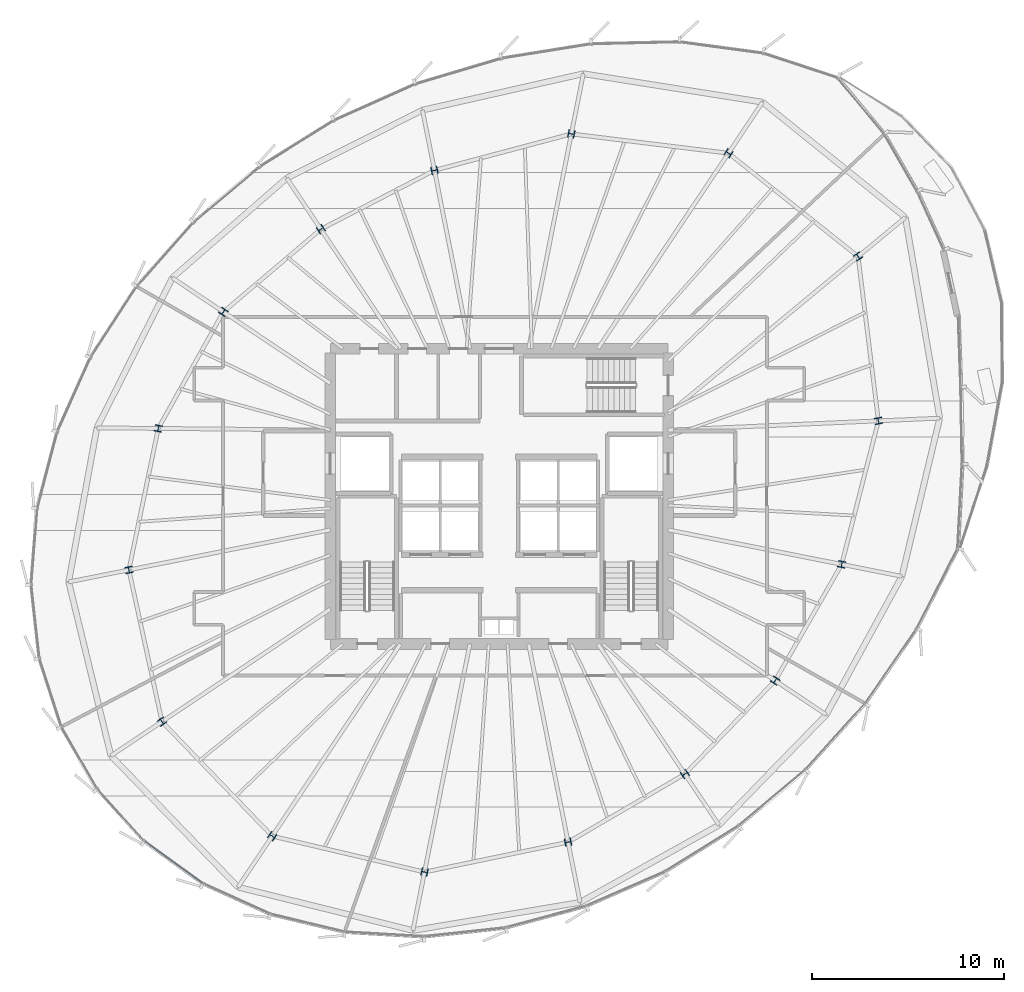
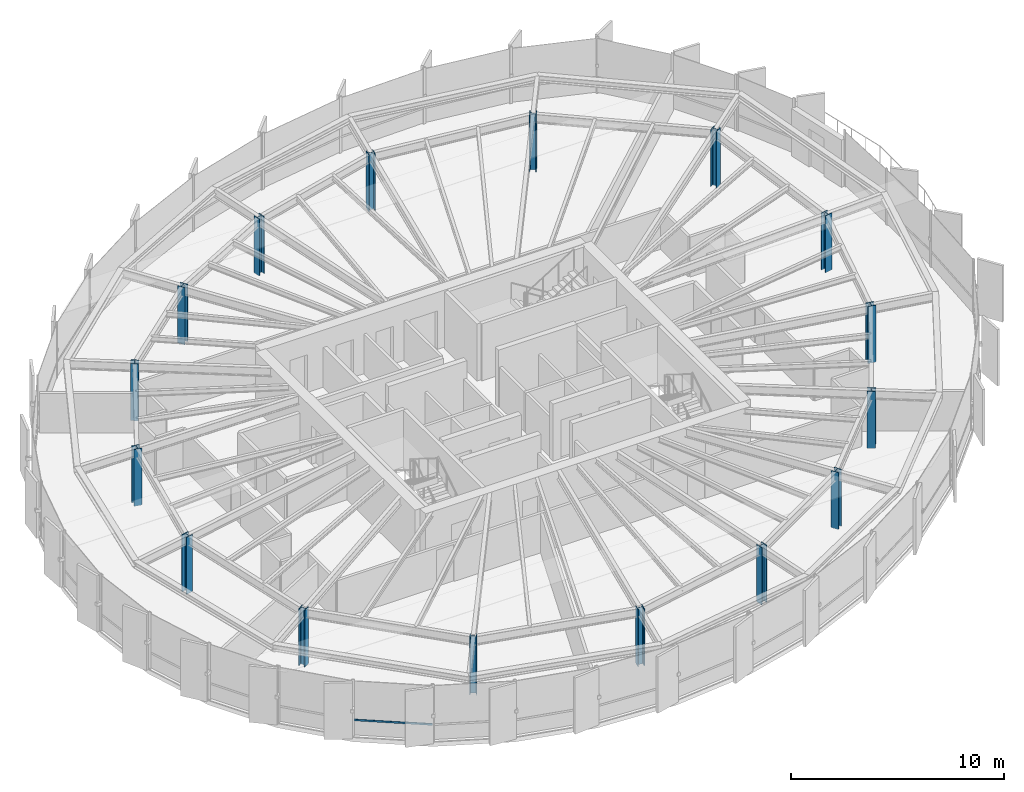
# One storey, part 1 of 35: 16 columns, 1 member, 1 element without a shape of its own.
"""IFC4 building model written with IfcOpenShell, lengths in metres."""

import ifcopenshell
import ifcopenshell.guid

model = None  # the IFC model being written
_history = None  # IfcOwnerHistory: only IFC2X3 demands one
_inside = {}  # id of a spatial element -> (the spatial element, [elements in it])
_under = {}  # id of a project, library or spatial element -> (it, [spatial elements below it])
_declared = {}  # id of a project -> (the project, [libraries it declares])
_typed = {}  # id of a type object -> (the type object, [elements of that type])
_made_of = {}  # id of a material, layer set ... -> (it, [elements and type objects made of it])


def new_model(schema):
    """Start an empty IFC model of exactly this schema.

    Asked for "IFC4X3", IfcOpenShell would pick the latest addendum, in which some entities
    have other attributes; the version numbers below select the first issue.
    IFC2X3 requires an IfcOwnerHistory on every rooted entity: one is made here for all.
    """
    global model, _history
    if schema == "IFC4X3":
        model = ifcopenshell.file(schema_version=(4, 3, 0, 0))
    else:
        model = ifcopenshell.file(schema=schema)
    _inside.clear()
    _under.clear()
    _declared.clear()
    _typed.clear()
    _made_of.clear()
    _history = None
    if model.schema == "IFC2X3":
        org = make("IfcOrganization", Name="unknown")
        user = make(
            "IfcPersonAndOrganization",
            ThePerson=make("IfcPerson", FamilyName="unknown"),
            TheOrganization=org,
        )
        app = make(
            "IfcApplication",
            ApplicationDeveloper=org,
            Version="unknown",
            ApplicationFullName="unknown",
            ApplicationIdentifier="unknown",
        )
        _history = make(
            "IfcOwnerHistory",
            OwningUser=user,
            OwningApplication=app,
            ChangeAction="ADDED",
            CreationDate=0,
        )
    return model


def make(cls, **values):
    """One entity of the class cls with the attributes given. An attribute that is None is left unset."""
    return model.create_entity(
        cls, **{name: value for name, value in values.items() if value is not None}
    )


def rooted(cls, **values):
    """An entity with a GlobalId (a new one), such as an element, a storey or a relation."""
    return make(cls, GlobalId=ifcopenshell.guid.new(), OwnerHistory=_history, **values)


def si_unit(unit_type, name, prefix=None):
    """IfcSIUnit, for example si_unit("LENGTHUNIT", "METRE", prefix="MILLI")."""
    return make("IfcSIUnit", UnitType=unit_type, Prefix=prefix, Name=name)


def assignment(units):
    """IfcUnitAssignment: the units of a project."""
    return None if units is None else make("IfcUnitAssignment", Units=units)


def point(xyz):
    """IfcCartesianPoint."""
    return None if xyz is None else make("IfcCartesianPoint", Coordinates=xyz)


def direction(xyz):
    """IfcDirection."""
    return None if xyz is None else make("IfcDirection", DirectionRatios=xyz)


def frame(location, z_axis=None, x_axis=None):
    """IfcAxis2Placement3D, a coordinate frame: its origin and axes. An axis left out is left unset."""
    return make(
        "IfcAxis2Placement3D",
        Location=point(location),
        Axis=direction(z_axis),
        RefDirection=direction(x_axis),
    )


def frame_2d(location, x_axis=None):
    """IfcAxis2Placement2D, a coordinate frame in the plane: its origin and x axis."""
    return make(
        "IfcAxis2Placement2D", Location=point(location), RefDirection=direction(x_axis)
    )


def origin():
    """The frame at (0, 0, 0) with its axes left unset."""
    return frame((0.0, 0.0, 0.0))


def origin_2d():
    """The frame at (0, 0) in the plane with its x axis left unset."""
    return frame_2d((0.0, 0.0))


def place(relative_to, where):
    """IfcLocalPlacement: puts the frame where relative to a parent placement (None: the world)."""
    return make(
        "IfcLocalPlacement", PlacementRelTo=relative_to, RelativePlacement=where
    )


def context(
    kind, dimensions, precision=None, world=None, true_north=None, identifier=None
):
    """IfcGeometricRepresentationContext, for example the 3D "Model" context."""
    return make(
        "IfcGeometricRepresentationContext",
        ContextIdentifier=identifier,
        ContextType=kind,
        CoordinateSpaceDimension=dimensions,
        Precision=precision,
        WorldCoordinateSystem=world,
        TrueNorth=true_north,
    )


def subcontext(parent, identifier, kind, view, scale=None):
    """IfcGeometricRepresentationSubContext, for example "Body" below "Model"."""
    return make(
        "IfcGeometricRepresentationSubContext",
        ContextIdentifier=identifier,
        ContextType=kind,
        ParentContext=parent,
        TargetScale=scale,
        TargetView=view,
    )


def project(units=None, contexts=None):
    """IfcProject with its units and contexts."""
    return rooted(
        "IfcProject",
        Name="project",
        RepresentationContexts=contexts,
        UnitsInContext=assignment(units),
    )


def spatial(cls, under=None, at=None, **own):
    """A site, building, storey or space (cls), placed at a placement, below another one or the project."""
    s = rooted(cls, ObjectPlacement=at, **own)
    if under is not None:
        _under.setdefault(under.id(), (under, []))[1].append(s)
    return s


def profile(cls, at=None, kind="AREA", **sizes):
    """A parametric profile (cls). Its sizes go by their IFC names, for example OverallWidth=200.0."""
    return make(cls, ProfileType=kind, Position=at, **sizes)


def hollow_rectangle(**sizes):
    """IfcRectangleHollowProfileDef."""
    return profile("IfcRectangleHollowProfileDef", **sizes)


def i_section(**sizes):
    """IfcIShapeProfileDef."""
    return profile("IfcIShapeProfileDef", **sizes)


def extrude(swept, where, along, depth):
    """IfcExtrudedAreaSolid: the profile swept, set in the frame where, extruded along a direction by depth."""
    return make(
        "IfcExtrudedAreaSolid",
        SweptArea=swept,
        Position=where,
        ExtrudedDirection=direction(along),
        Depth=depth,
    )


def shape(context_of_items, identifier, shape_type, items):
    """IfcShapeRepresentation: the items that make up one representation, for example the "Body"."""
    return make(
        "IfcShapeRepresentation",
        ContextOfItems=context_of_items,
        RepresentationIdentifier=identifier,
        RepresentationType=shape_type,
        Items=items,
    )


def source(mapping_origin, context_of_items, identifier, shape_type, items):
    """IfcRepresentationMap: a shape defined once, which mapped items show again and again."""
    return make(
        "IfcRepresentationMap",
        MappingOrigin=mapping_origin,
        MappedRepresentation=shape(context_of_items, identifier, shape_type, items),
    )


def transform(
    local_origin,
    x_axis=None,
    y_axis=None,
    z_axis=None,
    scale=None,
    scale2=None,
    scale3=None,
    uniform=True,
):
    """IfcCartesianTransformationOperator3D, or its non-uniform kind. x_axis, y_axis, z_axis: its Axis1, 2, 3."""
    if uniform:
        return make(
            "IfcCartesianTransformationOperator3D",
            Axis1=direction(x_axis),
            Axis2=direction(y_axis),
            LocalOrigin=point(local_origin),
            Scale=scale,
            Axis3=direction(z_axis),
        )
    return make(
        "IfcCartesianTransformationOperator3DnonUniform",
        Axis1=direction(x_axis),
        Axis2=direction(y_axis),
        LocalOrigin=point(local_origin),
        Scale=scale,
        Axis3=direction(z_axis),
        Scale2=scale2,
        Scale3=scale3,
    )


def mapped(mapping_source, mapping_target):
    """IfcMappedItem: shows the shape of a source again, moved by a transform."""
    return make(
        "IfcMappedItem", MappingSource=mapping_source, MappingTarget=mapping_target
    )


def material(Name=None, Category=None):
    """IfcMaterial."""
    return make("IfcMaterial", Name=Name, Category=Category)


def layer(
    of_material, thickness, ventilated=None, Name=None, Category=None, Priority=None
):
    """IfcMaterialLayer: one layer of a wall or slab, of a material (None: an air gap)."""
    return make(
        "IfcMaterialLayer",
        Material=of_material,
        LayerThickness=thickness,
        IsVentilated=ventilated,
        Name=Name,
        Category=Category,
        Priority=Priority,
    )


def layer_set(layers, Name=None):
    """IfcMaterialLayerSet."""
    return make("IfcMaterialLayerSet", MaterialLayers=layers, LayerSetName=Name)


def material_profile(
    of_material, cross_section, Name=None, Category=None, Priority=None
):
    """IfcMaterialProfile: a cross section and its material."""
    return make(
        "IfcMaterialProfile",
        Name=Name,
        Material=of_material,
        Profile=cross_section,
        Priority=Priority,
        Category=Category,
    )


def profile_set(profiles, Name=None, composite=None):
    """IfcMaterialProfileSet."""
    return make(
        "IfcMaterialProfileSet",
        Name=Name,
        MaterialProfiles=profiles,
        CompositeProfile=composite,
    )


def made_of(thing, what):
    """Note that an element or type object is made of a material, layer set ...; save() writes the relation."""
    if what is not None:
        _made_of.setdefault(what.id(), (what, []))[1].append(thing)
    return thing


def type_object(cls, material=None, **own):
    """A type object (cls), such as IfcWallType, which elements share."""
    return made_of(rooted(cls, **own), material)


def element(
    cls,
    number,
    at=None,
    inside=None,
    cuts=None,
    type_object=None,
    material=None,
    context=None,
    identifier="Body",
    shape_type=None,
    held_by="IfcProductDefinitionShape",
    body=None,
    shapes=None,
    **own,
):
    """One element of the class cls, such as IfcWall. Its Tag is "e" and its number.

    at: its placement. inside: the storey or other place that contains it. cuts: it is an
    opening in that element (IfcRelVoidsElement). A single representation is given by context,
    identifier, shape_type and body (its items); several are given by shapes. held_by: the class
    of the entity that holds the representations. save() writes the other relations.
    """
    e = rooted(cls, Tag="e%d" % number, ObjectPlacement=at, **own)
    if body is not None:
        shapes = [shape(context, identifier, shape_type, body)]
    if shapes is not None:
        e.Representation = make(held_by, Representations=shapes)
    if inside is not None:
        _inside.setdefault(inside.id(), (inside, []))[1].append(e)
    if cuts is not None:
        rooted(
            "IfcRelVoidsElement", RelatingBuildingElement=cuts, RelatedOpeningElement=e
        )
    if type_object is not None:
        _typed.setdefault(type_object.id(), (type_object, []))[1].append(e)
    return made_of(e, material)


def aggregate(whole, parts):
    """IfcRelAggregates: a whole, such as a stair, and the parts it consists of."""
    return rooted("IfcRelAggregates", RelatingObject=whole, RelatedObjects=parts)


def save(model, path):
    """Write the relations noted so far, then the file.

    IfcRelAggregates (storeys below a building ...), IfcRelContainedInSpatialStructure (elements
    in a storey), IfcRelDefinesByType, IfcRelAssociatesMaterial and IfcRelDeclares: one each for
    every whole, place, type object, material and project.
    """
    for whole, parts in _under.values():
        aggregate(whole, parts)
    for where, things in _inside.values():
        rooted(
            "IfcRelContainedInSpatialStructure",
            RelatedElements=things,
            RelatingStructure=where,
        )
    for kind, things in _typed.values():
        rooted("IfcRelDefinesByType", RelatedObjects=things, RelatingType=kind)
    for what, things in _made_of.values():
        rooted("IfcRelAssociatesMaterial", RelatedObjects=things, RelatingMaterial=what)
    for by, libraries in _declared.values():
        rooted("IfcRelDeclares", RelatingContext=by, RelatedDefinitions=libraries)
    model.write(path)


model = new_model("IFC4")

# Units and contexts
model_context = context("Model", 3, precision=1e-05, world=origin(), true_north=direction((0.0, 1.0)))
body_context = subcontext(model_context, "Body", "Model", "MODEL_VIEW")
ifc_project = project(units=[si_unit("LENGTHUNIT", "METRE"), si_unit("AREAUNIT", "SQUARE_METRE"), si_unit("VOLUMEUNIT", "CUBIC_METRE"), si_unit("PLANEANGLEUNIT", "RADIAN"), si_unit("MASSUNIT", "GRAM", prefix="KILO"), si_unit("THERMODYNAMICTEMPERATUREUNIT", "KELVIN")], contexts=[model_context])

# Site, building, storey
site_placement = place(None, origin())
site = spatial("IfcSite", under=ifc_project, at=site_placement, CompositionType="ELEMENT")
building_placement = place(site_placement, origin())
building = spatial("IfcBuilding", under=site, at=building_placement, Name="Kethvar Cultural Tower", CompositionType="ELEMENT")
storey_placement = place(building_placement, frame((0.0, 0.0, 179.89990234375)))
storey = spatial("IfcBuildingStorey", under=building, at=storey_placement, Name="L46", CompositionType="ELEMENT", Elevation=179.89990234375)

# Columns
ifc_material_1 = material(Name="Steel S460M", Category="steel")
ifc_material_profile_1 = material_profile(ifc_material_1, i_section(OverallWidth=0.39111328125, OverallDepth=0.3349609375, WebThickness=0.022705078125, FlangeThickness=0.033935546875, FilletRadius=0.014892578125, at=origin_2d()), Name="Steel S460M — HD400x463")
ifc_profile_set_1 = profile_set([ifc_material_profile_1], Name="Steel S460M — HD400x463")
column_type = type_object("IfcColumnType", Name="COL-HD463", PredefinedType="COLUMN", material=ifc_profile_set_1)
shared_shape_1 = source(origin(), body_context, "Body", "SweptSolid", [
    extrude(i_section(OverallWidth=0.39111328125, OverallDepth=0.3349609375, WebThickness=0.022705078125, FlangeThickness=0.033935546875, FilletRadius=0.014892578125, at=origin_2d()), origin(), (0.0, 0.0, 1.0), 3.260009765625),
])
for number, where, z_axis, x_axis, name in (
    (1, (66.56396484375, 31.731201171875, 0.0), (0.0, 0.0, 1.0), (0.980785280403, 0.195090322016, 0.0), "L46 Mega-Column MC-01"),
    (2, (65.504150390625, 40.297607421875, 0.0), (0.0, 0.0, 1.0), (0.831469612303, 0.55557023302, 0.0), "L46 Mega-Column MC-02"),
    (3, (58.748046875, 45.681396484375, 0.0), (0.0, 0.0, 1.0), (0.55557023302, 0.831469612303, 0.0), "L46 Mega-Column MC-03"),
    (4, (50.556884765625, 46.6875, 0.0), (0.0, 0.0, 1.0), (0.195090322016, 0.980785280403, 0.0), "L46 Mega-Column MC-04"),
    (5, (43.420654296875, 44.789306640625, 0.0), (0.0, 0.0, 1.0), (-0.195090322016, 0.980785280403, 0.0), "L46 Mega-Column MC-05"),
    (6, (37.498779296875, 41.720458984375, 0.0), (0.0, 0.0, 1.0), (-0.55557023302, 0.831469612303, 0.0), "L46 Mega-Column MC-06"),
    (7, (32.418212890625, 37.409423828125, 0.0), (0.0, 0.0, 1.0), (-0.831469612303, 0.55557023302, 0.0), "L46 Mega-Column MC-07"),
    (8, (29.02490234375, 31.335693359375, 0.0), (0.0, 0.0, 1.0), (-0.980785280403, 0.195090322016, 0.0), "L46 Mega-Column MC-08"),
    (9, (27.492919921875, 23.959716796875, 0.0), (0.0, 0.0, 1.0), (-0.980785280403, -0.195090322016, 0.0), "L46 Mega-Column MC-09"),
    (10, (29.217529296875, 16.0517578125, 0.0), (0.0, 0.0, 1.0), (-0.831469612303, -0.55557023302, 0.0), "L46 Mega-Column MC-10"),
    (11, (34.962646484375, 10.084228515625, 0.0), (0.0, 0.0, 1.0), (-0.55557023302, -0.831469612303, 0.0), "L46 Mega-Column MC-11"),
    (12, (42.903564453125, 8.2109375, 0.0), (0.0, 0.0, 1.0), (-0.195090322016, -0.980785280403, 0.0), "L46 Mega-Column MC-12"),
    (13, (50.38671875, 9.7685546875, 0.0), (0.0, 0.0, 1.0), (0.195090322016, -0.980785280403, 0.0), "L46 Mega-Column MC-13"),
    (14, (56.474609375, 13.32080078125, 0.0), (0.0, 0.0, 1.0), (0.55557023302, -0.831469612303, 0.0), "L46 Mega-Column MC-14"),
    (15, (61.1826171875, 18.18994140625, 0.0), (0.0, 0.0, 1.0), (0.831469612303, -0.55557023302, 0.0), "L46 Mega-Column MC-15"),
    (16, (64.648681640625, 24.249755859375, 0.0), (0.0, 0.0, 1.0), (0.980785280403, -0.195090322016, 0.0), "L46 Mega-Column MC-16"),
):
    element("IfcColumn", number, at=place(storey_placement, frame(where, z_axis=z_axis, x_axis=x_axis)), inside=storey, type_object=column_type, Name=name, PredefinedType="COLUMN", context=body_context, shape_type="MappedRepresentation", body=[
        mapped(shared_shape_1, transform((0.0, 0.0, 0.0), scale=1.0)),
    ])

# Curtain wall, member
ifc_material_2 = material(Name="Aluminium 6063-T6", Category="aluminium")
ifc_layer = layer(ifc_material_2, 0.179931640625, Name="Aluminium 6063-T6", Category="aluminium")
ifc_layer_set = layer_set([ifc_layer], Name="Aluminium 6063-T6 (180 mm)")
curtain_wall_type = type_object("IfcCurtainWallType", Name="CW-SYS-04-Z34", PredefinedType="NOTDEFINED", material=ifc_layer_set)
curtain_wall_placement = place(storey_placement, origin())
curtain_wall = element("IfcCurtainWall", 17, at=curtain_wall_placement, inside=storey, type_object=curtain_wall_type, Name="L46 Curtain Wall Run 04", PredefinedType="NOTDEFINED")
ifc_material_profile_2 = material_profile(ifc_material_2, hollow_rectangle(XDim=0.050048828125, YDim=0.10009765625, WallThickness=0.00390625, at=origin_2d()), Name="Aluminium 6063-T6 — RHS100x50x4")
ifc_profile_set_2 = profile_set([ifc_material_profile_2], Name="Aluminium 6063-T6 — RHS100x50x4")
member_type = type_object("IfcMemberType", Name="CW-SYS-04-Z34-TRN", PredefinedType="USERDEFINED", material=ifc_profile_set_2)
shared_shape_2 = source(origin(), body_context, "Body", "SweptSolid", [
    extrude(hollow_rectangle(XDim=0.050048828125, YDim=0.10009765625, WallThickness=0.00390625, at=origin_2d()), origin(), (0.0, 0.0, 1.0), 3.6923828125),
])
member_placement = place(storey_placement, frame((28.343017578125, 9.802490234375, 0.9501953125), z_axis=(0.810017929298, -0.586405111007, 0.0), x_axis=(0.586405111007, 0.810017929298, 0.0)))
member = element("IfcMember", 18, at=member_placement, type_object=member_type, Name="CW-L46-R04 Transom 2", ObjectType="TRANSOM", PredefinedType="USERDEFINED", context=body_context, shape_type="MappedRepresentation", body=[
    mapped(shared_shape_2, transform((0.0, 0.0, 0.0), scale=1.0)),
])
aggregate(curtain_wall, [member])

save(model, "model.ifc")
